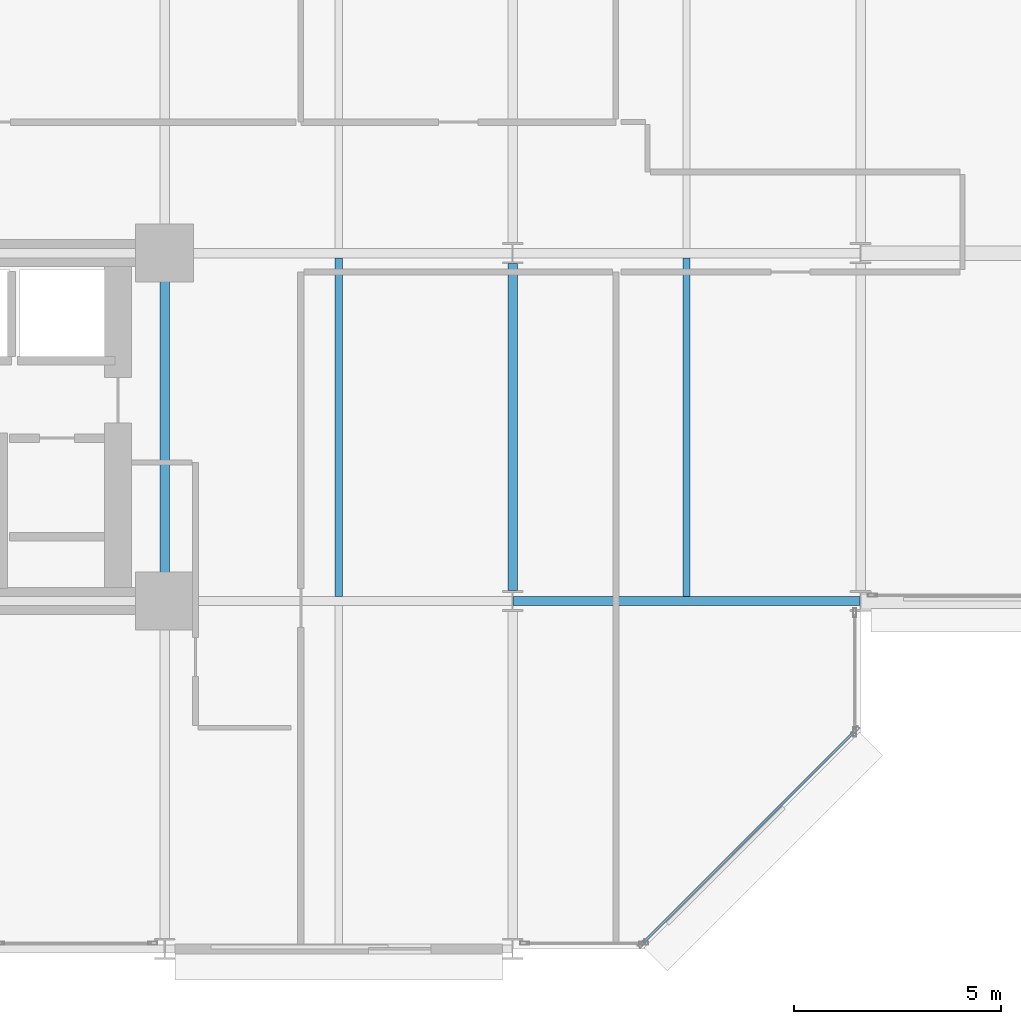
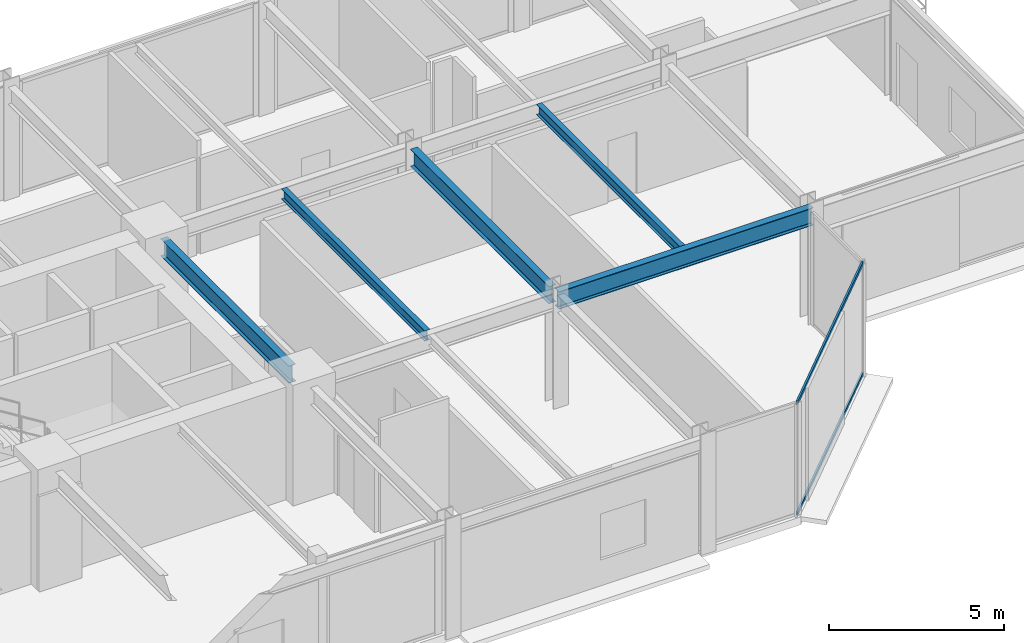
# One storey, part 12 of 27: 5 beams, 2 members, 1 element without a shape of its own.
"""IFC4 building model written with IfcOpenShell, lengths in metres."""

import ifcopenshell
import ifcopenshell.guid

model = None  # the IFC model being written
_history = None  # IfcOwnerHistory: only IFC2X3 demands one
_inside = {}  # id of a spatial element -> (the spatial element, [elements in it])
_under = {}  # id of a project, library or spatial element -> (it, [spatial elements below it])
_declared = {}  # id of a project -> (the project, [libraries it declares])
_typed = {}  # id of a type object -> (the type object, [elements of that type])
_made_of = {}  # id of a material, layer set ... -> (it, [elements and type objects made of it])


def new_model(schema):
    """Start an empty IFC model of exactly this schema.

    Asked for "IFC4X3", IfcOpenShell would pick the latest addendum, in which some entities
    have other attributes; the version numbers below select the first issue.
    IFC2X3 requires an IfcOwnerHistory on every rooted entity: one is made here for all.
    """
    global model, _history
    if schema == "IFC4X3":
        model = ifcopenshell.file(schema_version=(4, 3, 0, 0))
    else:
        model = ifcopenshell.file(schema=schema)
    _inside.clear()
    _under.clear()
    _declared.clear()
    _typed.clear()
    _made_of.clear()
    _history = None
    if model.schema == "IFC2X3":
        org = make("IfcOrganization", Name="unknown")
        user = make(
            "IfcPersonAndOrganization",
            ThePerson=make("IfcPerson", FamilyName="unknown"),
            TheOrganization=org,
        )
        app = make(
            "IfcApplication",
            ApplicationDeveloper=org,
            Version="unknown",
            ApplicationFullName="unknown",
            ApplicationIdentifier="unknown",
        )
        _history = make(
            "IfcOwnerHistory",
            OwningUser=user,
            OwningApplication=app,
            ChangeAction="ADDED",
            CreationDate=0,
        )
    return model


def make(cls, **values):
    """One entity of the class cls with the attributes given. An attribute that is None is left unset."""
    return model.create_entity(
        cls, **{name: value for name, value in values.items() if value is not None}
    )


def rooted(cls, **values):
    """An entity with a GlobalId (a new one), such as an element, a storey or a relation."""
    return make(cls, GlobalId=ifcopenshell.guid.new(), OwnerHistory=_history, **values)


def si_unit(unit_type, name, prefix=None):
    """IfcSIUnit, for example si_unit("LENGTHUNIT", "METRE", prefix="MILLI")."""
    return make("IfcSIUnit", UnitType=unit_type, Prefix=prefix, Name=name)


def assignment(units):
    """IfcUnitAssignment: the units of a project."""
    return None if units is None else make("IfcUnitAssignment", Units=units)


def point(xyz):
    """IfcCartesianPoint."""
    return None if xyz is None else make("IfcCartesianPoint", Coordinates=xyz)


def direction(xyz):
    """IfcDirection."""
    return None if xyz is None else make("IfcDirection", DirectionRatios=xyz)


def frame(location, z_axis=None, x_axis=None):
    """IfcAxis2Placement3D, a coordinate frame: its origin and axes. An axis left out is left unset."""
    return make(
        "IfcAxis2Placement3D",
        Location=point(location),
        Axis=direction(z_axis),
        RefDirection=direction(x_axis),
    )


def frame_2d(location, x_axis=None):
    """IfcAxis2Placement2D, a coordinate frame in the plane: its origin and x axis."""
    return make(
        "IfcAxis2Placement2D", Location=point(location), RefDirection=direction(x_axis)
    )


def origin():
    """The frame at (0, 0, 0) with its axes left unset."""
    return frame((0.0, 0.0, 0.0))


def origin_2d():
    """The frame at (0, 0) in the plane with its x axis left unset."""
    return frame_2d((0.0, 0.0))


def place(relative_to, where):
    """IfcLocalPlacement: puts the frame where relative to a parent placement (None: the world)."""
    return make(
        "IfcLocalPlacement", PlacementRelTo=relative_to, RelativePlacement=where
    )


def context(
    kind, dimensions, precision=None, world=None, true_north=None, identifier=None
):
    """IfcGeometricRepresentationContext, for example the 3D "Model" context."""
    return make(
        "IfcGeometricRepresentationContext",
        ContextIdentifier=identifier,
        ContextType=kind,
        CoordinateSpaceDimension=dimensions,
        Precision=precision,
        WorldCoordinateSystem=world,
        TrueNorth=true_north,
    )


def subcontext(parent, identifier, kind, view, scale=None):
    """IfcGeometricRepresentationSubContext, for example "Body" below "Model"."""
    return make(
        "IfcGeometricRepresentationSubContext",
        ContextIdentifier=identifier,
        ContextType=kind,
        ParentContext=parent,
        TargetScale=scale,
        TargetView=view,
    )


def project(units=None, contexts=None):
    """IfcProject with its units and contexts."""
    return rooted(
        "IfcProject",
        Name="project",
        RepresentationContexts=contexts,
        UnitsInContext=assignment(units),
    )


def spatial(cls, under=None, at=None, **own):
    """A site, building, storey or space (cls), placed at a placement, below another one or the project."""
    s = rooted(cls, ObjectPlacement=at, **own)
    if under is not None:
        _under.setdefault(under.id(), (under, []))[1].append(s)
    return s


def profile(cls, at=None, kind="AREA", **sizes):
    """A parametric profile (cls). Its sizes go by their IFC names, for example OverallWidth=200.0."""
    return make(cls, ProfileType=kind, Position=at, **sizes)


def hollow_rectangle(**sizes):
    """IfcRectangleHollowProfileDef."""
    return profile("IfcRectangleHollowProfileDef", **sizes)


def i_section(**sizes):
    """IfcIShapeProfileDef."""
    return profile("IfcIShapeProfileDef", **sizes)


def extrude(swept, where, along, depth):
    """IfcExtrudedAreaSolid: the profile swept, set in the frame where, extruded along a direction by depth."""
    return make(
        "IfcExtrudedAreaSolid",
        SweptArea=swept,
        Position=where,
        ExtrudedDirection=direction(along),
        Depth=depth,
    )


def shape(context_of_items, identifier, shape_type, items):
    """IfcShapeRepresentation: the items that make up one representation, for example the "Body"."""
    return make(
        "IfcShapeRepresentation",
        ContextOfItems=context_of_items,
        RepresentationIdentifier=identifier,
        RepresentationType=shape_type,
        Items=items,
    )


def material(Name=None, Category=None):
    """IfcMaterial."""
    return make("IfcMaterial", Name=Name, Category=Category)


def layer(
    of_material, thickness, ventilated=None, Name=None, Category=None, Priority=None
):
    """IfcMaterialLayer: one layer of a wall or slab, of a material (None: an air gap)."""
    return make(
        "IfcMaterialLayer",
        Material=of_material,
        LayerThickness=thickness,
        IsVentilated=ventilated,
        Name=Name,
        Category=Category,
        Priority=Priority,
    )


def layer_set(layers, Name=None):
    """IfcMaterialLayerSet."""
    return make("IfcMaterialLayerSet", MaterialLayers=layers, LayerSetName=Name)


def material_profile(
    of_material, cross_section, Name=None, Category=None, Priority=None
):
    """IfcMaterialProfile: a cross section and its material."""
    return make(
        "IfcMaterialProfile",
        Name=Name,
        Material=of_material,
        Profile=cross_section,
        Priority=Priority,
        Category=Category,
    )


def profile_set(profiles, Name=None, composite=None):
    """IfcMaterialProfileSet."""
    return make(
        "IfcMaterialProfileSet",
        Name=Name,
        MaterialProfiles=profiles,
        CompositeProfile=composite,
    )


def made_of(thing, what):
    """Note that an element or type object is made of a material, layer set ...; save() writes the relation."""
    if what is not None:
        _made_of.setdefault(what.id(), (what, []))[1].append(thing)
    return thing


def type_object(cls, material=None, **own):
    """A type object (cls), such as IfcWallType, which elements share."""
    return made_of(rooted(cls, **own), material)


def element(
    cls,
    number,
    at=None,
    inside=None,
    cuts=None,
    type_object=None,
    material=None,
    context=None,
    identifier="Body",
    shape_type=None,
    held_by="IfcProductDefinitionShape",
    body=None,
    shapes=None,
    **own,
):
    """One element of the class cls, such as IfcWall. Its Tag is "e" and its number.

    at: its placement. inside: the storey or other place that contains it. cuts: it is an
    opening in that element (IfcRelVoidsElement). A single representation is given by context,
    identifier, shape_type and body (its items); several are given by shapes. held_by: the class
    of the entity that holds the representations. save() writes the other relations.
    """
    e = rooted(cls, Tag="e%d" % number, ObjectPlacement=at, **own)
    if body is not None:
        shapes = [shape(context, identifier, shape_type, body)]
    if shapes is not None:
        e.Representation = make(held_by, Representations=shapes)
    if inside is not None:
        _inside.setdefault(inside.id(), (inside, []))[1].append(e)
    if cuts is not None:
        rooted(
            "IfcRelVoidsElement", RelatingBuildingElement=cuts, RelatedOpeningElement=e
        )
    if type_object is not None:
        _typed.setdefault(type_object.id(), (type_object, []))[1].append(e)
    return made_of(e, material)


def aggregate(whole, parts):
    """IfcRelAggregates: a whole, such as a stair, and the parts it consists of."""
    return rooted("IfcRelAggregates", RelatingObject=whole, RelatedObjects=parts)


def save(model, path):
    """Write the relations noted so far, then the file.

    IfcRelAggregates (storeys below a building ...), IfcRelContainedInSpatialStructure (elements
    in a storey), IfcRelDefinesByType, IfcRelAssociatesMaterial and IfcRelDeclares: one each for
    every whole, place, type object, material and project.
    """
    for whole, parts in _under.values():
        aggregate(whole, parts)
    for where, things in _inside.values():
        rooted(
            "IfcRelContainedInSpatialStructure",
            RelatedElements=things,
            RelatingStructure=where,
        )
    for kind, things in _typed.values():
        rooted("IfcRelDefinesByType", RelatedObjects=things, RelatingType=kind)
    for what, things in _made_of.values():
        rooted("IfcRelAssociatesMaterial", RelatedObjects=things, RelatingMaterial=what)
    for by, libraries in _declared.values():
        rooted("IfcRelDeclares", RelatingContext=by, RelatedDefinitions=libraries)
    model.write(path)


model = new_model("IFC4")

# Units and contexts
model_context = context("Model", 3, precision=1e-05, world=origin(), true_north=direction((0.0, 1.0)))
body_context = subcontext(model_context, "Body", "Model", "MODEL_VIEW")
ifc_project = project(units=[si_unit("LENGTHUNIT", "METRE"), si_unit("AREAUNIT", "SQUARE_METRE"), si_unit("VOLUMEUNIT", "CUBIC_METRE"), si_unit("PLANEANGLEUNIT", "RADIAN"), si_unit("MASSUNIT", "GRAM", prefix="KILO")], contexts=[model_context])

# Site, building, storey
site_placement = place(None, origin())
site = spatial("IfcSite", under=ifc_project, at=site_placement, CompositionType="ELEMENT")
building_placement = place(site_placement, origin())
building = spatial("IfcBuilding", under=site, at=building_placement, Name="Nerrivon Quay Data Exchange", CompositionType="ELEMENT")
storey_placement = place(building_placement, frame((0.0, 0.0, 66.800048828125)))
storey = spatial("IfcBuildingStorey", under=building, at=storey_placement, Name="L15", CompositionType="ELEMENT", Elevation=66.800048828125)

# Beams
ifc_material_1 = material(Name="Steel Grade 350", Category="steel")
ifc_material_profile_1 = material_profile(ifc_material_1, i_section(OverallWidth=0.22900390625, OverallDepth=0.612060546875, WebThickness=0.011962890625, FlangeThickness=0.01953125, FilletRadius=0.013916015625, at=origin_2d()), Name="610UB125")
ifc_profile_set_1 = profile_set([ifc_material_profile_1], Name="Steel Grade 350")
beam_type_1 = type_object("IfcBeamType", Name="BM-G1-610UB125", PredefinedType="BEAM", material=ifc_profile_set_1)
beam_1_placement = place(storey_placement, frame((42.013916015625, 8.39990234375, 3.618896484375), z_axis=(1.0, 0.0, 0.0), x_axis=(0.0, 1.0, 0.0)))
element("IfcBeam", 1, at=beam_1_placement, inside=storey, type_object=beam_type_1, Name="L15 EW Girder Y=8.4 (42.0..50.4)", PredefinedType="BEAM", context=body_context, shape_type="SweptSolid", body=[
    extrude(i_section(OverallWidth=0.22900390625, OverallDepth=0.612060546875, WebThickness=0.011962890625, FlangeThickness=0.01953125, FilletRadius=0.013916015625, at=origin_2d()), origin(), (0.0, 0.0, 1.0), 8.3720703125),
])
ifc_material_profile_2 = material_profile(ifc_material_1, i_section(OverallWidth=0.22802734375, OverallDepth=0.60205078125, WebThickness=0.010498046875, FlangeThickness=0.014892578125, FilletRadius=0.013916015625, at=origin_2d()), Name="610UB101")
ifc_profile_set_2 = profile_set([ifc_material_profile_2], Name="Steel Grade 350")
beam_type_2 = type_object("IfcBeamType", Name="BM-G2-610UB101", PredefinedType="BEAM", material=ifc_profile_set_2)
beam_2_placement = place(storey_placement, frame((33.60009765625, 8.93994140625, 3.6240234375), z_axis=(0.0, 1.0, 0.0), x_axis=(-1.0, 0.0, 0.0)))
element("IfcBeam", 2, at=beam_2_placement, inside=storey, type_object=beam_type_2, Name="L15 NS Girder X=33.6 (8.4..16.8)", PredefinedType="BEAM", context=body_context, shape_type="SweptSolid", body=[
    extrude(i_section(OverallWidth=0.22802734375, OverallDepth=0.60205078125, WebThickness=0.010498046875, FlangeThickness=0.014892578125, FilletRadius=0.013916015625, at=origin_2d()), origin(), (0.0, 0.0, 1.0), 7.320068359375),
])
beam_3_placement = place(storey_placement, frame((42.0, 8.64990234375, 3.6240234375), z_axis=(0.0, 1.0, 0.0), x_axis=(-1.0, 0.0, 0.0)))
element("IfcBeam", 3, at=beam_3_placement, inside=storey, type_object=beam_type_2, Name="L15 NS Girder X=42.0 (8.4..16.8)", PredefinedType="BEAM", context=body_context, shape_type="SweptSolid", body=[
    extrude(i_section(OverallWidth=0.22802734375, OverallDepth=0.60205078125, WebThickness=0.010498046875, FlangeThickness=0.014892578125, FilletRadius=0.013916015625, at=origin_2d()), origin(), (0.0, 0.0, 1.0), 7.900146484375),
])
ifc_material_profile_3 = material_profile(ifc_material_1, i_section(OverallWidth=0.172119140625, OverallDepth=0.35888671875, WebThickness=0.008056640625, FlangeThickness=0.012939453125, FilletRadius=0.011474609375, at=origin_2d()), Name="360UB56.7")
ifc_profile_set_3 = profile_set([ifc_material_profile_3], Name="Steel Grade 350")
beam_type_3 = type_object("IfcBeamType", Name="BM-J3-360UB57", PredefinedType="JOIST", material=ifc_profile_set_3)
for number, where, z_axis, x_axis, name in (
    (4, (37.800048828125, 8.514404296875, 3.745361328125), (0.0, 1.0, 0.0), (-1.0, 0.0, 0.0), "L15 Secondary Joist X=37.8 (8.4..16.8)"),
    (5, (46.199951171875, 8.514404296875, 3.745361328125), (0.0, 1.0, 0.0), (-1.0, 0.0, 0.0), "L15 Secondary Joist X=46.2 (8.4..16.8)"),
):
    element("IfcBeam", number, at=place(storey_placement, frame(where, z_axis=z_axis, x_axis=x_axis)), inside=storey, type_object=beam_type_3, Name=name, PredefinedType="JOIST", context=body_context, shape_type="SweptSolid", body=[
        extrude(i_section(OverallWidth=0.172119140625, OverallDepth=0.35888671875, WebThickness=0.008056640625, FlangeThickness=0.012939453125, FilletRadius=0.011474609375, at=origin_2d()), origin(), (0.0, 0.0, 1.0), 8.171142578125),
    ])

# Curtain wall, members
ifc_material_2 = material(Name="Anodised aluminium 6063-T6", Category="aluminium")
ifc_layer = layer(ifc_material_2, 0.219970703125)
ifc_layer_set = layer_set([ifc_layer], Name="Anodised aluminium 6063-T6")
curtain_wall_type = type_object("IfcCurtainWallType", Name="CW-SYS-01", PredefinedType="NOTDEFINED", material=ifc_layer_set)
curtain_wall_placement = place(storey_placement, origin())
curtain_wall = element("IfcCurtainWall", 6, at=curtain_wall_placement, inside=storey, type_object=curtain_wall_type, Name="L15 Unitised Curtain Wall 5", PredefinedType="NOTDEFINED")
ifc_material_profile_4 = material_profile(ifc_material_2, hollow_rectangle(XDim=0.06005859375, YDim=0.1201171875, WallThickness=0.003173828125, at=origin_2d()), Name="ALU-TRAN-120x60")
ifc_profile_set_4 = profile_set([ifc_material_profile_4], Name="Anodised aluminium 6063-T6")
member_type = type_object("IfcMemberType", Name="CWT-120x60", PredefinedType="USERDEFINED", material=ifc_profile_set_4)
member_1_placement = place(storey_placement, frame((50.248046875, 5.245849609375, 0.032470703125), z_axis=(-0.707123726196, -0.707089835771, 0.0), x_axis=(0.707089835771, -0.707123726196, 0.0)))
member_1 = element("IfcMember", 7, at=member_1_placement, type_object=member_type, Name="CW01 transom 1.1", ObjectType="TRANSOM", PredefinedType="USERDEFINED", context=body_context, shape_type="SweptSolid", body=[
    extrude(hollow_rectangle(XDim=0.06005859375, YDim=0.1201171875, WallThickness=0.003173828125, at=origin_2d()), origin(), (0.0, 0.0, 1.0), 7.203857421875),
])
member_2_placement = place(storey_placement, frame((50.248046875, 5.245849609375, 3.892333984375), z_axis=(-0.707123726196, -0.707089835771, 0.0), x_axis=(0.707089835771, -0.707123726196, 0.0)))
member_2 = element("IfcMember", 8, at=member_2_placement, type_object=member_type, Name="CW01 transom 1.2", ObjectType="TRANSOM", PredefinedType="USERDEFINED", context=body_context, shape_type="SweptSolid", body=[
    extrude(hollow_rectangle(XDim=0.06005859375, YDim=0.1201171875, WallThickness=0.003173828125, at=origin_2d()), origin(), (0.0, 0.0, 1.0), 7.203857421875),
])
aggregate(curtain_wall, [member_1, member_2])

save(model, "model.ifc")
